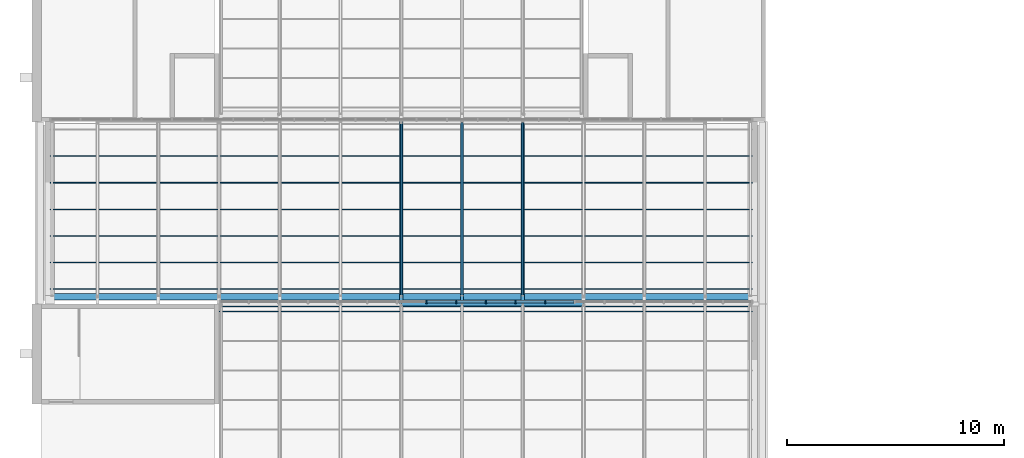
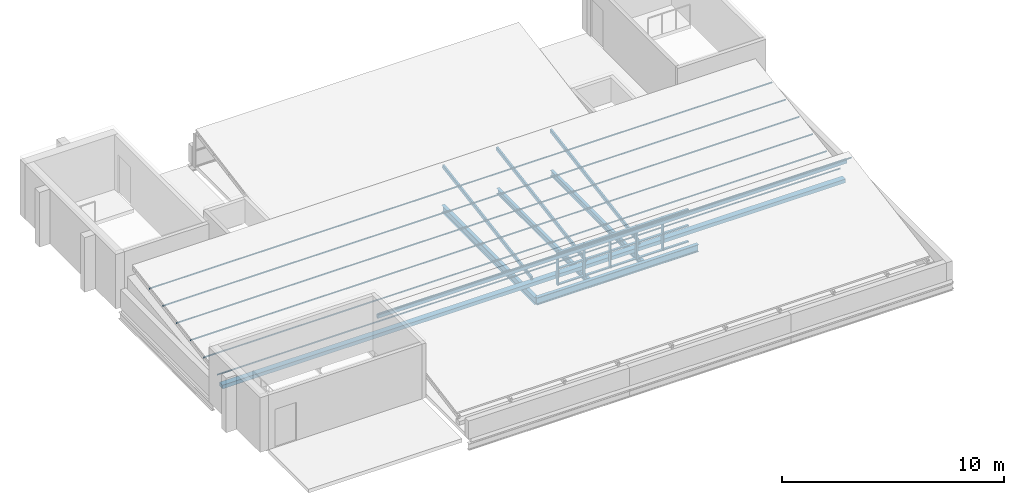
# One storey, part 6 of 42: 31 members, 5 beams, 1 element without a shape of its own.
"""IFC4 building model written with IfcOpenShell, lengths in metres."""

from ifc_helpers import new_model, si_unit, direction, frame, origin, origin_2d, place, context, subcontext, project, spatial, rectangle, hollow_rectangle, i_section, extrude, material, layer, layer_set, material_profile, profile_set, type_object, element, aggregate, save


model = new_model("IFC4")

# Units and contexts
model_context = context("Model", 3, precision=1e-05, world=origin(), true_north=direction((0.0, 1.0)))
body_context = subcontext(model_context, "Body", "Model", "MODEL_VIEW")
ifc_project = project(units=[si_unit("LENGTHUNIT", "METRE"), si_unit("AREAUNIT", "SQUARE_METRE"), si_unit("VOLUMEUNIT", "CUBIC_METRE"), si_unit("PLANEANGLEUNIT", "RADIAN"), si_unit("MASSUNIT", "GRAM", prefix="KILO")], contexts=[model_context])

# Site, building, storey
site_placement = place(None, origin())
site = spatial("IfcSite", under=ifc_project, at=site_placement, CompositionType="ELEMENT")
building_placement = place(site_placement, origin())
building = spatial("IfcBuilding", under=site, at=building_placement, Name="Ardhachandra Cancer Care Centre", CompositionType="ELEMENT")
storey_placement = place(building_placement, frame((0.0, 0.0, 22.5)))
storey = spatial("IfcBuildingStorey", under=building, at=storey_placement, Name="L05", CompositionType="ELEMENT", Elevation=22.5)

# Beams
ifc_material_1 = material(Name="Steel E350 (IS 2062)", Category="steel")
ifc_material_profile_1 = material_profile(ifc_material_1, i_section(OverallWidth=0.152099609375, OverallDepth=0.303955078125, WebThickness=0.008056640625, FlangeThickness=0.0126953125, FilletRadius=0.014892578125, at=origin_2d()), Name="NPB 300x150x49.32")
ifc_profile_set_1 = profile_set([ifc_material_profile_1], Name="Steel E350 (IS 2062)")
beam_type_1 = type_object("IfcBeamType", Name="Beam NPB 300x150x49.32", PredefinedType="BEAM", material=ifc_profile_set_1)
for number, where, z_axis, x_axis, name in (
    (1, (30.39990234375, 79.889892578125, -0.35205078125), (0.0, 1.0, 0.0), (-1.0, 0.0, 0.0), "Secondary J3-K3@2800"),
    (2, (33.199951171875, 79.889892578125, -0.35205078125), (0.0, 1.0, 0.0), (-1.0, 0.0, 0.0), "Secondary J3-K3@5600"),
):
    element("IfcBeam", number, at=place(storey_placement, frame(where, z_axis=z_axis, x_axis=x_axis)), inside=storey, type_object=beam_type_1, Name=name, PredefinedType="BEAM", context=body_context, shape_type="SweptSolid", body=[
        extrude(i_section(OverallWidth=0.152099609375, OverallDepth=0.303955078125, WebThickness=0.008056640625, FlangeThickness=0.0126953125, FilletRadius=0.014892578125, at=origin_2d()), origin(), (0.0, 0.0, 1.0), 8.22021484375),
    ])
ifc_material_2 = material(Name="Steel E350 (IS 2062)", Category="steel")
ifc_material_profile_2 = material_profile(ifc_material_2, i_section(OverallWidth=0.179931640625, OverallDepth=0.39990234375, WebThickness=0.008544921875, FlangeThickness=0.013427734375, FilletRadius=0.02099609375, at=origin_2d()), Name="NPB 400x180x66.30")
ifc_profile_set_2 = profile_set([ifc_material_profile_2], Name="Steel E350 (IS 2062)")
beam_type_2 = type_object("IfcBeamType", Name="Beam NPB 400x180x66.30", PredefinedType="BEAM", material=ifc_profile_set_2)
for number, where, z_axis, x_axis, name in (
    (3, (27.60009765625, 79.800048828125, -0.39990234375), (1.0, 0.0, 0.0), (0.0, 1.0, 0.0), "Girder J3-J4"),
    (4, (27.60009765625, 79.800048828125, -0.39990234375), (0.0, 1.0, 0.0), (-1.0, 0.0, 0.0), "Girder J3-K3"),
):
    element("IfcBeam", number, at=place(storey_placement, frame(where, z_axis=z_axis, x_axis=x_axis)), inside=storey, type_object=beam_type_2, Name=name, PredefinedType="BEAM", context=body_context, shape_type="SweptSolid", body=[
        extrude(i_section(OverallWidth=0.179931640625, OverallDepth=0.39990234375, WebThickness=0.008544921875, FlangeThickness=0.013427734375, FilletRadius=0.02099609375, at=origin_2d()), origin(), (0.0, 0.0, 1.0), 8.39990234375),
    ])

# Curtain wall, members
ifc_material_3 = material(Name="Aluminium extrusion", Category="aluminium")
ifc_layer = layer(ifc_material_3, 0.14990234375)
ifc_layer_set = layer_set([ifc_layer], Name="Aluminium extrusion")
curtain_wall_type = type_object("IfcCurtainWallType", Name="Curtain wall run", PredefinedType="NOTDEFINED", material=ifc_layer_set)
curtain_wall_placement = place(storey_placement, origin())
curtain_wall = element("IfcCurtainWall", 5, at=curtain_wall_placement, inside=storey, type_object=curtain_wall_type, Name="Curtain wall L05 n/0019200_0079900", PredefinedType="NOTDEFINED")
ifc_material_4 = material(Name="Aluminium extrusion", Category="aluminium")
ifc_material_profile_3 = material_profile(ifc_material_4, rectangle(XDim=0.159912109375, YDim=0.06005859375, at=origin_2d()), Name="Curtain wall mullion 60 x 160")
ifc_profile_set_3 = profile_set([ifc_material_profile_3], Name="Aluminium extrusion")
member_type_1 = type_object("IfcMemberType", Name="Curtain wall mullion 60 x 160", PredefinedType="MULLION", material=ifc_profile_set_3)
member_1_placement = place(storey_placement, frame((28.7666015625, 79.89990234375, 0.0), z_axis=(0.0, 0.0, 1.0), x_axis=(0.0, 1.0, 0.0)))
member_1 = element("IfcMember", 6, at=member_1_placement, type_object=member_type_1, Name="CW mullion 8", PredefinedType="MULLION", context=body_context, shape_type="SweptSolid", body=[
    extrude(rectangle(XDim=0.159912109375, YDim=0.06005859375, at=origin_2d()), origin(), (0.0, 0.0, 1.0), 1.820068359375),
])
member_2_placement = place(storey_placement, frame((30.13330078125, 79.89990234375, 0.0), z_axis=(0.0, 0.0, 1.0), x_axis=(0.0, 1.0, 0.0)))
member_2 = element("IfcMember", 7, at=member_2_placement, type_object=member_type_1, Name="CW mullion 9", PredefinedType="MULLION", context=body_context, shape_type="SweptSolid", body=[
    extrude(rectangle(XDim=0.159912109375, YDim=0.06005859375, at=origin_2d()), origin(), (0.0, 0.0, 1.0), 1.820068359375),
])
member_3_placement = place(storey_placement, frame((31.5, 79.89990234375, 0.0), z_axis=(0.0, 0.0, 1.0), x_axis=(0.0, 1.0, 0.0)))
member_3 = element("IfcMember", 8, at=member_3_placement, type_object=member_type_1, Name="CW mullion 10", PredefinedType="MULLION", context=body_context, shape_type="SweptSolid", body=[
    extrude(rectangle(XDim=0.159912109375, YDim=0.06005859375, at=origin_2d()), origin(), (0.0, 0.0, 1.0), 1.820068359375),
])
member_4_placement = place(storey_placement, frame((32.86669921875, 79.89990234375, 0.0), z_axis=(0.0, 0.0, 1.0), x_axis=(0.0, 1.0, 0.0)))
member_4 = element("IfcMember", 9, at=member_4_placement, type_object=member_type_1, Name="CW mullion 11", PredefinedType="MULLION", context=body_context, shape_type="SweptSolid", body=[
    extrude(rectangle(XDim=0.159912109375, YDim=0.06005859375, at=origin_2d()), origin(), (0.0, 0.0, 1.0), 1.820068359375),
])
member_5_placement = place(storey_placement, frame((34.2333984375, 79.89990234375, 0.0), z_axis=(0.0, 0.0, 1.0), x_axis=(0.0, 1.0, 0.0)))
member_5 = element("IfcMember", 10, at=member_5_placement, type_object=member_type_1, Name="CW mullion 12", PredefinedType="MULLION", context=body_context, shape_type="SweptSolid", body=[
    extrude(rectangle(XDim=0.159912109375, YDim=0.06005859375, at=origin_2d()), origin(), (0.0, 0.0, 1.0), 1.820068359375),
])
ifc_material_5 = material(Name="Aluminium extrusion", Category="aluminium")
ifc_material_profile_4 = material_profile(ifc_material_5, rectangle(XDim=0.1201171875, YDim=0.06005859375, at=origin_2d()), Name="Curtain wall transom 60 x 120")
ifc_profile_set_4 = profile_set([ifc_material_profile_4], Name="Aluminium extrusion")
member_type_2 = type_object("IfcMemberType", Name="Curtain wall transom 60 x 120", PredefinedType="USERDEFINED", material=ifc_profile_set_4)
member_6_placement = place(storey_placement, frame((28.796630859375, 79.89990234375, 0.030029296875), z_axis=(1.0, 0.0, 0.0), x_axis=(0.0, 1.0, 0.0)))
member_6 = element("IfcMember", 11, at=member_6_placement, type_object=member_type_2, Name="CW transom 8.1", ObjectType="TRANSOM", PredefinedType="USERDEFINED", context=body_context, shape_type="SweptSolid", body=[
    extrude(rectangle(XDim=0.1201171875, YDim=0.06005859375, at=origin_2d()), origin(), (0.0, 0.0, 1.0), 1.306640625),
])
member_7_placement = place(storey_placement, frame((28.796630859375, 79.89990234375, 0.909912109375), z_axis=(1.0, 0.0, 0.0), x_axis=(0.0, 1.0, 0.0)))
member_7 = element("IfcMember", 12, at=member_7_placement, type_object=member_type_2, Name="CW transom 8.2", ObjectType="TRANSOM", PredefinedType="USERDEFINED", context=body_context, shape_type="SweptSolid", body=[
    extrude(rectangle(XDim=0.1201171875, YDim=0.06005859375, at=origin_2d()), origin(), (0.0, 0.0, 1.0), 1.306640625),
])
member_8_placement = place(storey_placement, frame((28.796630859375, 79.89990234375, 1.7900390625), z_axis=(1.0, 0.0, 0.0), x_axis=(0.0, 1.0, 0.0)))
member_8 = element("IfcMember", 13, at=member_8_placement, type_object=member_type_2, Name="CW transom 8.3", ObjectType="TRANSOM", PredefinedType="USERDEFINED", context=body_context, shape_type="SweptSolid", body=[
    extrude(rectangle(XDim=0.1201171875, YDim=0.06005859375, at=origin_2d()), origin(), (0.0, 0.0, 1.0), 1.306640625),
])
member_9_placement = place(storey_placement, frame((30.163330078125, 79.89990234375, 0.030029296875), z_axis=(1.0, 0.0, 0.0), x_axis=(0.0, 1.0, 0.0)))
member_9 = element("IfcMember", 14, at=member_9_placement, type_object=member_type_2, Name="CW transom 9.1", ObjectType="TRANSOM", PredefinedType="USERDEFINED", context=body_context, shape_type="SweptSolid", body=[
    extrude(rectangle(XDim=0.1201171875, YDim=0.06005859375, at=origin_2d()), origin(), (0.0, 0.0, 1.0), 1.306640625),
])
member_10_placement = place(storey_placement, frame((30.163330078125, 79.89990234375, 0.909912109375), z_axis=(1.0, 0.0, 0.0), x_axis=(0.0, 1.0, 0.0)))
member_10 = element("IfcMember", 15, at=member_10_placement, type_object=member_type_2, Name="CW transom 9.2", ObjectType="TRANSOM", PredefinedType="USERDEFINED", context=body_context, shape_type="SweptSolid", body=[
    extrude(rectangle(XDim=0.1201171875, YDim=0.06005859375, at=origin_2d()), origin(), (0.0, 0.0, 1.0), 1.306640625),
])
member_11_placement = place(storey_placement, frame((30.163330078125, 79.89990234375, 1.7900390625), z_axis=(1.0, 0.0, 0.0), x_axis=(0.0, 1.0, 0.0)))
member_11 = element("IfcMember", 16, at=member_11_placement, type_object=member_type_2, Name="CW transom 9.3", ObjectType="TRANSOM", PredefinedType="USERDEFINED", context=body_context, shape_type="SweptSolid", body=[
    extrude(rectangle(XDim=0.1201171875, YDim=0.06005859375, at=origin_2d()), origin(), (0.0, 0.0, 1.0), 1.306640625),
])
member_12_placement = place(storey_placement, frame((31.530029296875, 79.89990234375, 0.030029296875), z_axis=(1.0, 0.0, 0.0), x_axis=(0.0, 1.0, 0.0)))
member_12 = element("IfcMember", 17, at=member_12_placement, type_object=member_type_2, Name="CW transom 10.1", ObjectType="TRANSOM", PredefinedType="USERDEFINED", context=body_context, shape_type="SweptSolid", body=[
    extrude(rectangle(XDim=0.1201171875, YDim=0.06005859375, at=origin_2d()), origin(), (0.0, 0.0, 1.0), 1.306640625),
])
member_13_placement = place(storey_placement, frame((31.530029296875, 79.89990234375, 0.909912109375), z_axis=(1.0, 0.0, 0.0), x_axis=(0.0, 1.0, 0.0)))
member_13 = element("IfcMember", 18, at=member_13_placement, type_object=member_type_2, Name="CW transom 10.2", ObjectType="TRANSOM", PredefinedType="USERDEFINED", context=body_context, shape_type="SweptSolid", body=[
    extrude(rectangle(XDim=0.1201171875, YDim=0.06005859375, at=origin_2d()), origin(), (0.0, 0.0, 1.0), 1.306640625),
])
member_14_placement = place(storey_placement, frame((31.530029296875, 79.89990234375, 1.7900390625), z_axis=(1.0, 0.0, 0.0), x_axis=(0.0, 1.0, 0.0)))
member_14 = element("IfcMember", 19, at=member_14_placement, type_object=member_type_2, Name="CW transom 10.3", ObjectType="TRANSOM", PredefinedType="USERDEFINED", context=body_context, shape_type="SweptSolid", body=[
    extrude(rectangle(XDim=0.1201171875, YDim=0.06005859375, at=origin_2d()), origin(), (0.0, 0.0, 1.0), 1.306640625),
])
member_15_placement = place(storey_placement, frame((32.896728515625, 79.89990234375, 0.030029296875), z_axis=(1.0, 0.0, 0.0), x_axis=(0.0, 1.0, 0.0)))
member_15 = element("IfcMember", 20, at=member_15_placement, type_object=member_type_2, Name="CW transom 11.1", ObjectType="TRANSOM", PredefinedType="USERDEFINED", context=body_context, shape_type="SweptSolid", body=[
    extrude(rectangle(XDim=0.1201171875, YDim=0.06005859375, at=origin_2d()), origin(), (0.0, 0.0, 1.0), 1.306640625),
])
member_16_placement = place(storey_placement, frame((32.896728515625, 79.89990234375, 0.909912109375), z_axis=(1.0, 0.0, 0.0), x_axis=(0.0, 1.0, 0.0)))
member_16 = element("IfcMember", 21, at=member_16_placement, type_object=member_type_2, Name="CW transom 11.2", ObjectType="TRANSOM", PredefinedType="USERDEFINED", context=body_context, shape_type="SweptSolid", body=[
    extrude(rectangle(XDim=0.1201171875, YDim=0.06005859375, at=origin_2d()), origin(), (0.0, 0.0, 1.0), 1.306640625),
])
member_17_placement = place(storey_placement, frame((32.896728515625, 79.89990234375, 1.7900390625), z_axis=(1.0, 0.0, 0.0), x_axis=(0.0, 1.0, 0.0)))
member_17 = element("IfcMember", 22, at=member_17_placement, type_object=member_type_2, Name="CW transom 11.3", ObjectType="TRANSOM", PredefinedType="USERDEFINED", context=body_context, shape_type="SweptSolid", body=[
    extrude(rectangle(XDim=0.1201171875, YDim=0.06005859375, at=origin_2d()), origin(), (0.0, 0.0, 1.0), 1.306640625),
])
member_18_placement = place(storey_placement, frame((34.263427734375, 79.89990234375, 0.030029296875), z_axis=(1.0, 0.0, 0.0), x_axis=(0.0, 1.0, 0.0)))
member_18 = element("IfcMember", 23, at=member_18_placement, type_object=member_type_2, Name="CW transom 12.1", ObjectType="TRANSOM", PredefinedType="USERDEFINED", context=body_context, shape_type="SweptSolid", body=[
    extrude(rectangle(XDim=0.1201171875, YDim=0.06005859375, at=origin_2d()), origin(), (0.0, 0.0, 1.0), 1.306640625),
])
member_19_placement = place(storey_placement, frame((34.263427734375, 79.89990234375, 0.909912109375), z_axis=(1.0, 0.0, 0.0), x_axis=(0.0, 1.0, 0.0)))
member_19 = element("IfcMember", 24, at=member_19_placement, type_object=member_type_2, Name="CW transom 12.2", ObjectType="TRANSOM", PredefinedType="USERDEFINED", context=body_context, shape_type="SweptSolid", body=[
    extrude(rectangle(XDim=0.1201171875, YDim=0.06005859375, at=origin_2d()), origin(), (0.0, 0.0, 1.0), 1.306640625),
])
member_20_placement = place(storey_placement, frame((34.263427734375, 79.89990234375, 1.7900390625), z_axis=(1.0, 0.0, 0.0), x_axis=(0.0, 1.0, 0.0)))
member_20 = element("IfcMember", 25, at=member_20_placement, type_object=member_type_2, Name="CW transom 12.3", ObjectType="TRANSOM", PredefinedType="USERDEFINED", context=body_context, shape_type="SweptSolid", body=[
    extrude(rectangle(XDim=0.1201171875, YDim=0.06005859375, at=origin_2d()), origin(), (0.0, 0.0, 1.0), 1.306640625),
])
aggregate(curtain_wall, [member_1, member_2, member_3, member_4, member_5, member_6, member_7, member_8, member_9, member_10, member_11, member_12, member_13, member_14, member_15, member_16, member_17, member_18, member_19, member_20])

# Members
ifc_material_6 = material(Name="Steel E350 (IS 2062)", Category="steel")
ifc_material_profile_5 = material_profile(ifc_material_6, hollow_rectangle(XDim=0.0400390625, YDim=0.080078125, WallThickness=0.00390625, InnerFilletRadius=0.00390625, OuterFilletRadius=0.008056640625, at=origin_2d()), Name="RHS 80x40x4.0")
ifc_profile_set_5 = profile_set([ifc_material_profile_5], Name="Steel E350 (IS 2062)")
member_type_3 = type_object("IfcMemberType", Name="Roof purlin RHS 80x40x4.0", PredefinedType="PURLIN", material=ifc_profile_set_5)
member_21_placement = place(storey_placement, frame((19.199951171875, 79.4619140625, 2.00341796875), z_axis=(1.0, 0.0, 0.0), x_axis=(0.0, 0.984460447526, 0.175606455623)))
element("IfcMember", 26, at=member_21_placement, inside=storey, type_object=member_type_3, Name="Purlin NT1a.6", PredefinedType="PURLIN", context=body_context, shape_type="SweptSolid", body=[
    extrude(hollow_rectangle(XDim=0.0400390625, YDim=0.080078125, WallThickness=0.00390625, InnerFilletRadius=0.00390625, OuterFilletRadius=0.008056640625, at=origin_2d()), origin(), (0.0, 0.0, 1.0), 24.60009765625),
])
for number, where, z_axis, x_axis, name in (
    (27, (11.39990234375, 80.48095703125, 0.78955078125), (1.0, 0.0, 0.0), (0.0, 0.986659291142, 0.162798781332), "Purlin NT2a.1"),
    (28, (11.39990234375, 81.70751953125, 0.991943359375), (1.0, 0.0, 0.0), (0.0, 0.986659291142, 0.162798781332), "Purlin NT2a.2"),
    (29, (11.39990234375, 82.934326171875, 1.1943359375), (1.0, 0.0, 0.0), (0.0, 0.986659291142, 0.162798781332), "Purlin NT2a.3"),
    (30, (11.39990234375, 84.160888671875, 1.396728515625), (1.0, 0.0, 0.0), (0.0, 0.986659291142, 0.162798781332), "Purlin NT2a.4"),
    (31, (11.39990234375, 85.3876953125, 1.59912109375), (1.0, 0.0, 0.0), (0.0, 0.986659291142, 0.162798781332), "Purlin NT2a.5"),
    (32, (11.39990234375, 86.6142578125, 1.801513671875), (1.0, 0.0, 0.0), (0.0, 0.986659291142, 0.162798781332), "Purlin NT2a.6"),
):
    element("IfcMember", number, at=place(storey_placement, frame(where, z_axis=z_axis, x_axis=x_axis)), inside=storey, type_object=member_type_3, Name=name, PredefinedType="PURLIN", context=body_context, shape_type="SweptSolid", body=[
        extrude(hollow_rectangle(XDim=0.0400390625, YDim=0.080078125, WallThickness=0.00390625, InnerFilletRadius=0.00390625, OuterFilletRadius=0.008056640625, at=origin_2d()), origin(), (0.0, 0.0, 1.0), 32.400146484375),
    ])
ifc_material_7 = material(Name="Steel E350 (IS 2062)", Category="steel")
ifc_material_profile_6 = material_profile(ifc_material_7, hollow_rectangle(XDim=0.10009765625, YDim=0.199951171875, WallThickness=0.006103515625, InnerFilletRadius=0.006103515625, OuterFilletRadius=0.011962890625, at=origin_2d()), Name="RHS 200x100x6.0")
ifc_profile_set_6 = profile_set([ifc_material_profile_6], Name="Steel E350 (IS 2062)")
member_type_4 = type_object("IfcMemberType", Name="Roof rafter RHS 200x100x6.0", PredefinedType="RAFTER", material=ifc_profile_set_6)
for number, where, z_axis, x_axis, name in (
    (33, (27.60009765625, 80.183837890625, 0.5986328125), (0.0, 0.986657936602, 0.162806990454), (-1.0, 0.0, 0.0), "Rafter NT2a.7"),
    (34, (30.39990234375, 80.183837890625, 0.5986328125), (0.0, 0.986657936602, 0.162806990454), (-1.0, 0.0, 0.0), "Rafter NT2a.8"),
    (35, (33.199951171875, 80.183837890625, 0.5986328125), (0.0, 0.986657936602, 0.162806990454), (-1.0, 0.0, 0.0), "Rafter NT2a.9"),
):
    element("IfcMember", number, at=place(storey_placement, frame(where, z_axis=z_axis, x_axis=x_axis)), inside=storey, type_object=member_type_4, Name=name, PredefinedType="RAFTER", context=body_context, shape_type="SweptSolid", body=[
        extrude(hollow_rectangle(XDim=0.10009765625, YDim=0.199951171875, WallThickness=0.006103515625, InnerFilletRadius=0.006103515625, OuterFilletRadius=0.011962890625, at=origin_2d()), origin(), (0.0, 0.0, 1.0), 8.108154296875),
    ])

# Beam
ifc_material_8 = material(Name="Steel E350 (IS 2062)", Category="steel")
ifc_material_profile_7 = material_profile(ifc_material_8, hollow_rectangle(XDim=0.1201171875, YDim=0.239990234375, WallThickness=0.006103515625, InnerFilletRadius=0.006103515625, OuterFilletRadius=0.011962890625, at=origin_2d()), Name="RHS 240x120x6.0")
ifc_profile_set_7 = profile_set([ifc_material_profile_7], Name="Steel E350 (IS 2062)")
beam_type_3 = type_object("IfcBeamType", Name="Sawtooth ridge beam RHS 240x120x6.0", PredefinedType="BEAM", material=ifc_profile_set_7)
beam_placement = place(storey_placement, frame((19.300048828125, 79.75, 1.689208984375), z_axis=(1.0, 0.0, 0.0), x_axis=(0.0, 0.984460447526, 0.175606455623)))
element("IfcBeam", 36, at=beam_placement, inside=storey, type_object=beam_type_3, Name="Ridge beam NT1a", PredefinedType="BEAM", context=body_context, shape_type="SweptSolid", body=[
    extrude(hollow_rectangle(XDim=0.1201171875, YDim=0.239990234375, WallThickness=0.006103515625, InnerFilletRadius=0.006103515625, OuterFilletRadius=0.011962890625, at=origin_2d()), origin(), (0.0, 0.0, 1.0), 24.39990234375),
])

# Member
ifc_material_9 = material(Name="Stainless steel sheet gutter on galvanised steel cradle", Category="steel")
ifc_material_profile_8 = material_profile(ifc_material_9, rectangle(XDim=0.300048828125, YDim=0.199951171875, at=origin_2d()), Name="Valley gutter 300 x 200")
ifc_profile_set_8 = profile_set([ifc_material_profile_8], Name="Stainless steel sheet gutter on galvanised steel cradle")
member_type_5 = type_object("IfcMemberType", Name="Valley gutter 300 x 200", PredefinedType="USERDEFINED", material=ifc_profile_set_8)
member_22_placement = place(storey_placement, frame((11.39990234375, 80.139892578125, 0.39990234375), z_axis=(1.0, 0.0, 0.0), x_axis=(0.0, 1.0, 0.0)))
element("IfcMember", 37, at=member_22_placement, inside=storey, type_object=member_type_5, Name="Valley gutter NT2a", ObjectType="GUTTER", PredefinedType="USERDEFINED", context=body_context, shape_type="SweptSolid", body=[
    extrude(rectangle(XDim=0.300048828125, YDim=0.199951171875, at=origin_2d()), origin(), (0.0, 0.0, 1.0), 32.400146484375),
])

save(model, "model.ifc")
